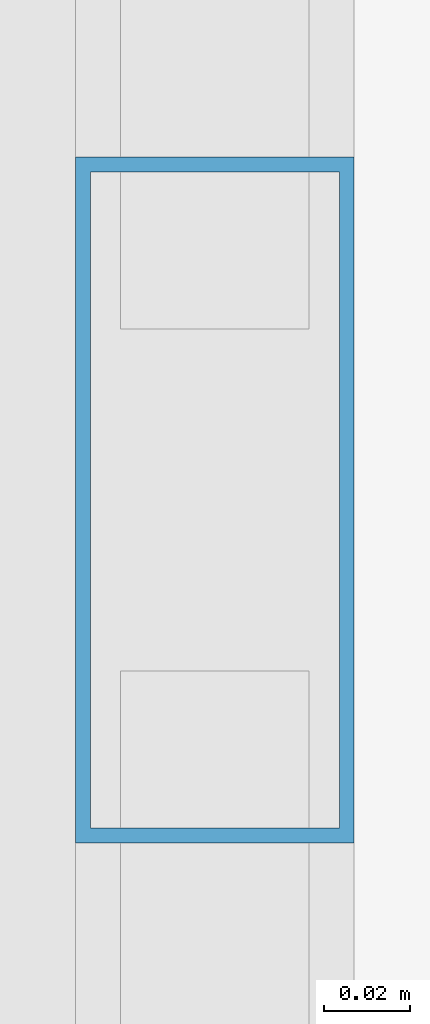
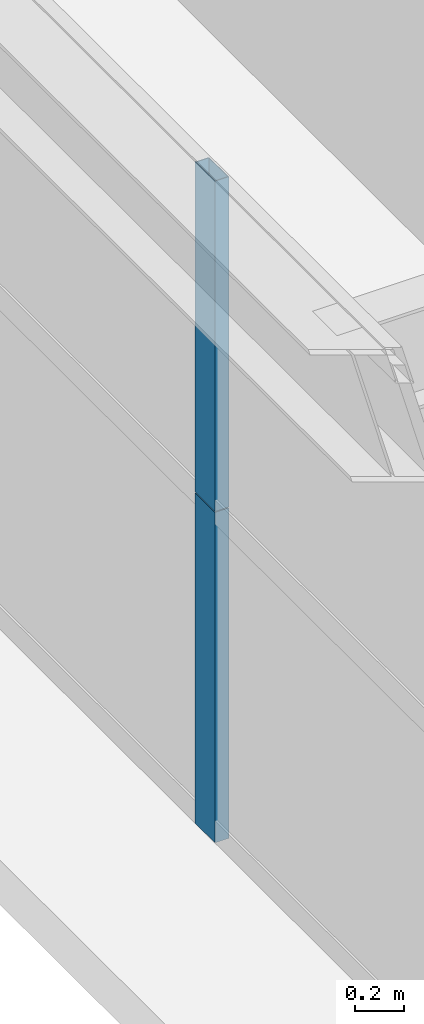
# One storey, part 14 of 38: 2 members, 1 element without a shape of its own.
"""IFC4 building model written with IfcOpenShell, lengths in metres."""

import ifcopenshell
import ifcopenshell.guid

model = None  # the IFC model being written
_history = None  # IfcOwnerHistory: only IFC2X3 demands one
_inside = {}  # id of a spatial element -> (the spatial element, [elements in it])
_under = {}  # id of a project, library or spatial element -> (it, [spatial elements below it])
_declared = {}  # id of a project -> (the project, [libraries it declares])
_typed = {}  # id of a type object -> (the type object, [elements of that type])
_made_of = {}  # id of a material, layer set ... -> (it, [elements and type objects made of it])


def new_model(schema):
    """Start an empty IFC model of exactly this schema.

    Asked for "IFC4X3", IfcOpenShell would pick the latest addendum, in which some entities
    have other attributes; the version numbers below select the first issue.
    IFC2X3 requires an IfcOwnerHistory on every rooted entity: one is made here for all.
    """
    global model, _history
    if schema == "IFC4X3":
        model = ifcopenshell.file(schema_version=(4, 3, 0, 0))
    else:
        model = ifcopenshell.file(schema=schema)
    _inside.clear()
    _under.clear()
    _declared.clear()
    _typed.clear()
    _made_of.clear()
    _history = None
    if model.schema == "IFC2X3":
        org = make("IfcOrganization", Name="unknown")
        user = make(
            "IfcPersonAndOrganization",
            ThePerson=make("IfcPerson", FamilyName="unknown"),
            TheOrganization=org,
        )
        app = make(
            "IfcApplication",
            ApplicationDeveloper=org,
            Version="unknown",
            ApplicationFullName="unknown",
            ApplicationIdentifier="unknown",
        )
        _history = make(
            "IfcOwnerHistory",
            OwningUser=user,
            OwningApplication=app,
            ChangeAction="ADDED",
            CreationDate=0,
        )
    return model


def make(cls, **values):
    """One entity of the class cls with the attributes given. An attribute that is None is left unset."""
    return model.create_entity(
        cls, **{name: value for name, value in values.items() if value is not None}
    )


def rooted(cls, **values):
    """An entity with a GlobalId (a new one), such as an element, a storey or a relation."""
    return make(cls, GlobalId=ifcopenshell.guid.new(), OwnerHistory=_history, **values)


def si_unit(unit_type, name, prefix=None):
    """IfcSIUnit, for example si_unit("LENGTHUNIT", "METRE", prefix="MILLI")."""
    return make("IfcSIUnit", UnitType=unit_type, Prefix=prefix, Name=name)


def assignment(units):
    """IfcUnitAssignment: the units of a project."""
    return None if units is None else make("IfcUnitAssignment", Units=units)


def point(xyz):
    """IfcCartesianPoint."""
    return None if xyz is None else make("IfcCartesianPoint", Coordinates=xyz)


def direction(xyz):
    """IfcDirection."""
    return None if xyz is None else make("IfcDirection", DirectionRatios=xyz)


def frame(location, z_axis=None, x_axis=None):
    """IfcAxis2Placement3D, a coordinate frame: its origin and axes. An axis left out is left unset."""
    return make(
        "IfcAxis2Placement3D",
        Location=point(location),
        Axis=direction(z_axis),
        RefDirection=direction(x_axis),
    )


def frame_2d(location, x_axis=None):
    """IfcAxis2Placement2D, a coordinate frame in the plane: its origin and x axis."""
    return make(
        "IfcAxis2Placement2D", Location=point(location), RefDirection=direction(x_axis)
    )


def origin():
    """The frame at (0, 0, 0) with its axes left unset."""
    return frame((0.0, 0.0, 0.0))


def origin_2d():
    """The frame at (0, 0) in the plane with its x axis left unset."""
    return frame_2d((0.0, 0.0))


def place(relative_to, where):
    """IfcLocalPlacement: puts the frame where relative to a parent placement (None: the world)."""
    return make(
        "IfcLocalPlacement", PlacementRelTo=relative_to, RelativePlacement=where
    )


def context(
    kind, dimensions, precision=None, world=None, true_north=None, identifier=None
):
    """IfcGeometricRepresentationContext, for example the 3D "Model" context."""
    return make(
        "IfcGeometricRepresentationContext",
        ContextIdentifier=identifier,
        ContextType=kind,
        CoordinateSpaceDimension=dimensions,
        Precision=precision,
        WorldCoordinateSystem=world,
        TrueNorth=true_north,
    )


def subcontext(parent, identifier, kind, view, scale=None):
    """IfcGeometricRepresentationSubContext, for example "Body" below "Model"."""
    return make(
        "IfcGeometricRepresentationSubContext",
        ContextIdentifier=identifier,
        ContextType=kind,
        ParentContext=parent,
        TargetScale=scale,
        TargetView=view,
    )


def project(units=None, contexts=None):
    """IfcProject with its units and contexts."""
    return rooted(
        "IfcProject",
        Name="project",
        RepresentationContexts=contexts,
        UnitsInContext=assignment(units),
    )


def spatial(cls, under=None, at=None, **own):
    """A site, building, storey or space (cls), placed at a placement, below another one or the project."""
    s = rooted(cls, ObjectPlacement=at, **own)
    if under is not None:
        _under.setdefault(under.id(), (under, []))[1].append(s)
    return s


def profile(cls, at=None, kind="AREA", **sizes):
    """A parametric profile (cls). Its sizes go by their IFC names, for example OverallWidth=200.0."""
    return make(cls, ProfileType=kind, Position=at, **sizes)


def hollow_rectangle(**sizes):
    """IfcRectangleHollowProfileDef."""
    return profile("IfcRectangleHollowProfileDef", **sizes)


def extrude(swept, where, along, depth):
    """IfcExtrudedAreaSolid: the profile swept, set in the frame where, extruded along a direction by depth."""
    return make(
        "IfcExtrudedAreaSolid",
        SweptArea=swept,
        Position=where,
        ExtrudedDirection=direction(along),
        Depth=depth,
    )


def shape(context_of_items, identifier, shape_type, items):
    """IfcShapeRepresentation: the items that make up one representation, for example the "Body"."""
    return make(
        "IfcShapeRepresentation",
        ContextOfItems=context_of_items,
        RepresentationIdentifier=identifier,
        RepresentationType=shape_type,
        Items=items,
    )


def source(mapping_origin, context_of_items, identifier, shape_type, items):
    """IfcRepresentationMap: a shape defined once, which mapped items show again and again."""
    return make(
        "IfcRepresentationMap",
        MappingOrigin=mapping_origin,
        MappedRepresentation=shape(context_of_items, identifier, shape_type, items),
    )


def transform(
    local_origin,
    x_axis=None,
    y_axis=None,
    z_axis=None,
    scale=None,
    scale2=None,
    scale3=None,
    uniform=True,
):
    """IfcCartesianTransformationOperator3D, or its non-uniform kind. x_axis, y_axis, z_axis: its Axis1, 2, 3."""
    if uniform:
        return make(
            "IfcCartesianTransformationOperator3D",
            Axis1=direction(x_axis),
            Axis2=direction(y_axis),
            LocalOrigin=point(local_origin),
            Scale=scale,
            Axis3=direction(z_axis),
        )
    return make(
        "IfcCartesianTransformationOperator3DnonUniform",
        Axis1=direction(x_axis),
        Axis2=direction(y_axis),
        LocalOrigin=point(local_origin),
        Scale=scale,
        Axis3=direction(z_axis),
        Scale2=scale2,
        Scale3=scale3,
    )


def mapped(mapping_source, mapping_target):
    """IfcMappedItem: shows the shape of a source again, moved by a transform."""
    return make(
        "IfcMappedItem", MappingSource=mapping_source, MappingTarget=mapping_target
    )


def material(Name=None, Category=None):
    """IfcMaterial."""
    return make("IfcMaterial", Name=Name, Category=Category)


def layer(
    of_material, thickness, ventilated=None, Name=None, Category=None, Priority=None
):
    """IfcMaterialLayer: one layer of a wall or slab, of a material (None: an air gap)."""
    return make(
        "IfcMaterialLayer",
        Material=of_material,
        LayerThickness=thickness,
        IsVentilated=ventilated,
        Name=Name,
        Category=Category,
        Priority=Priority,
    )


def layer_set(layers, Name=None):
    """IfcMaterialLayerSet."""
    return make("IfcMaterialLayerSet", MaterialLayers=layers, LayerSetName=Name)


def material_profile(
    of_material, cross_section, Name=None, Category=None, Priority=None
):
    """IfcMaterialProfile: a cross section and its material."""
    return make(
        "IfcMaterialProfile",
        Name=Name,
        Material=of_material,
        Profile=cross_section,
        Priority=Priority,
        Category=Category,
    )


def profile_set(profiles, Name=None, composite=None):
    """IfcMaterialProfileSet."""
    return make(
        "IfcMaterialProfileSet",
        Name=Name,
        MaterialProfiles=profiles,
        CompositeProfile=composite,
    )


def made_of(thing, what):
    """Note that an element or type object is made of a material, layer set ...; save() writes the relation."""
    if what is not None:
        _made_of.setdefault(what.id(), (what, []))[1].append(thing)
    return thing


def type_object(cls, material=None, **own):
    """A type object (cls), such as IfcWallType, which elements share."""
    return made_of(rooted(cls, **own), material)


def element(
    cls,
    number,
    at=None,
    inside=None,
    cuts=None,
    type_object=None,
    material=None,
    context=None,
    identifier="Body",
    shape_type=None,
    held_by="IfcProductDefinitionShape",
    body=None,
    shapes=None,
    **own,
):
    """One element of the class cls, such as IfcWall. Its Tag is "e" and its number.

    at: its placement. inside: the storey or other place that contains it. cuts: it is an
    opening in that element (IfcRelVoidsElement). A single representation is given by context,
    identifier, shape_type and body (its items); several are given by shapes. held_by: the class
    of the entity that holds the representations. save() writes the other relations.
    """
    e = rooted(cls, Tag="e%d" % number, ObjectPlacement=at, **own)
    if body is not None:
        shapes = [shape(context, identifier, shape_type, body)]
    if shapes is not None:
        e.Representation = make(held_by, Representations=shapes)
    if inside is not None:
        _inside.setdefault(inside.id(), (inside, []))[1].append(e)
    if cuts is not None:
        rooted(
            "IfcRelVoidsElement", RelatingBuildingElement=cuts, RelatedOpeningElement=e
        )
    if type_object is not None:
        _typed.setdefault(type_object.id(), (type_object, []))[1].append(e)
    return made_of(e, material)


def aggregate(whole, parts):
    """IfcRelAggregates: a whole, such as a stair, and the parts it consists of."""
    return rooted("IfcRelAggregates", RelatingObject=whole, RelatedObjects=parts)


def save(model, path):
    """Write the relations noted so far, then the file.

    IfcRelAggregates (storeys below a building ...), IfcRelContainedInSpatialStructure (elements
    in a storey), IfcRelDefinesByType, IfcRelAssociatesMaterial and IfcRelDeclares: one each for
    every whole, place, type object, material and project.
    """
    for whole, parts in _under.values():
        aggregate(whole, parts)
    for where, things in _inside.values():
        rooted(
            "IfcRelContainedInSpatialStructure",
            RelatedElements=things,
            RelatingStructure=where,
        )
    for kind, things in _typed.values():
        rooted("IfcRelDefinesByType", RelatedObjects=things, RelatingType=kind)
    for what, things in _made_of.values():
        rooted("IfcRelAssociatesMaterial", RelatedObjects=things, RelatingMaterial=what)
    for by, libraries in _declared.values():
        rooted("IfcRelDeclares", RelatingContext=by, RelatedDefinitions=libraries)
    model.write(path)


model = new_model("IFC4")

# Units and contexts
model_context = context("Model", 3, precision=1e-05, world=origin(), true_north=direction((0.0, 1.0)))
body_context = subcontext(model_context, "Body", "Model", "MODEL_VIEW")
ifc_project = project(units=[si_unit("LENGTHUNIT", "METRE"), si_unit("AREAUNIT", "SQUARE_METRE"), si_unit("VOLUMEUNIT", "CUBIC_METRE"), si_unit("PLANEANGLEUNIT", "RADIAN"), si_unit("MASSUNIT", "GRAM", prefix="KILO"), si_unit("THERMODYNAMICTEMPERATUREUNIT", "KELVIN"), si_unit("POWERUNIT", "WATT")], contexts=[model_context])

# Site, building, storey
site_placement = place(None, origin())
site = spatial("IfcSite", under=ifc_project, at=site_placement, CompositionType="ELEMENT")
building_placement = place(site_placement, origin())
building = spatial("IfcBuilding", under=site, at=building_placement, Name="Yuzanri Waterfront Tower", CompositionType="ELEMENT")
storey_placement = place(building_placement, frame((0.0, 0.0, 188.0)))
storey = spatial("IfcBuildingStorey", under=building, at=storey_placement, Name="L49", CompositionType="ELEMENT", Elevation=188.0)

# Curtain wall, members
ifc_material_1 = material(Name="Anodized Architectural Bronze", Category="metal")
ifc_layer = layer(ifc_material_1, 0.159912109375)
ifc_layer_set = layer_set([ifc_layer], Name="Anodized Architectural Bronze")
curtain_wall_type = type_object("IfcCurtainWallType", Name="Anodized Bronze Mid-Rise Residential Acoustic Unitized Curtain Wall 7200", PredefinedType="NOTDEFINED", material=ifc_layer_set)
curtain_wall_placement = place(storey_placement, origin())
curtain_wall = element("IfcCurtainWall", 1, at=curtain_wall_placement, inside=storey, type_object=curtain_wall_type, Name="L49 Curtain Wall CW-L49-WR", PredefinedType="NOTDEFINED")
ifc_material_2 = material(Name="Anodized Architectural Bronze", Category="metal")
ifc_material_profile = material_profile(ifc_material_2, hollow_rectangle(XDim=0.06494140625, YDim=0.159912109375, WallThickness=0.00341796875, at=origin_2d()), Name="CWM 65x160")
ifc_profile_set = profile_set([ifc_material_profile], Name="Anodized Architectural Bronze")
member_type = type_object("IfcMemberType", Name="Anodized Bronze Upper-Zone Curtain-Wall Mullion 65x160", PredefinedType="MULLION", material=ifc_profile_set)
shared_shape = source(origin(), body_context, "Body", "SweptSolid", [
    extrude(hollow_rectangle(XDim=0.06494140625, YDim=0.159912109375, WallThickness=0.00341796875, at=origin_2d()), origin(), (0.0, 0.0, 1.0), 1.637939453125),
])
member_1_placement = place(storey_placement, frame((15.050048828125, 33.375, 0.0), z_axis=(0.0, 0.0, 1.0), x_axis=(1.0, 0.0, 0.0)))
member_1 = element("IfcMember", 2, at=member_1_placement, type_object=member_type, Name="CW-L49-WR Lower Mullion 01", PredefinedType="MULLION", context=body_context, shape_type="MappedRepresentation", body=[
    mapped(shared_shape, transform((0.0, 0.0, 0.0), scale=1.0)),
])
member_2_placement = place(storey_placement, frame((15.050048828125, 33.375, 1.64208984375), z_axis=(0.0, 0.0, 1.0), x_axis=(1.0, 0.0, 0.0)))
member_2 = element("IfcMember", 3, at=member_2_placement, type_object=member_type, Name="CW-L49-WR Upper Mullion 01", PredefinedType="MULLION", context=body_context, shape_type="MappedRepresentation", body=[
    mapped(shared_shape, transform((0.0, 0.0, 0.0), scale=1.0)),
])
aggregate(curtain_wall, [member_1, member_2])

save(model, "model.ifc")
